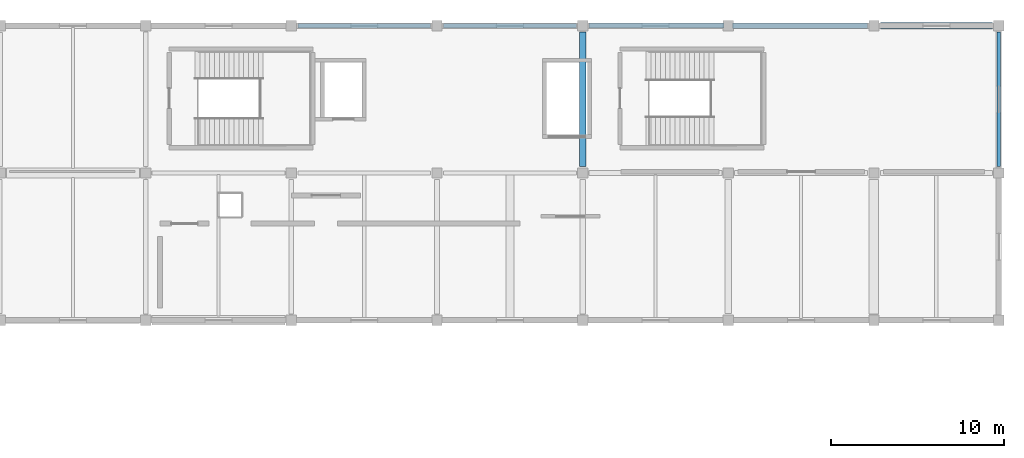
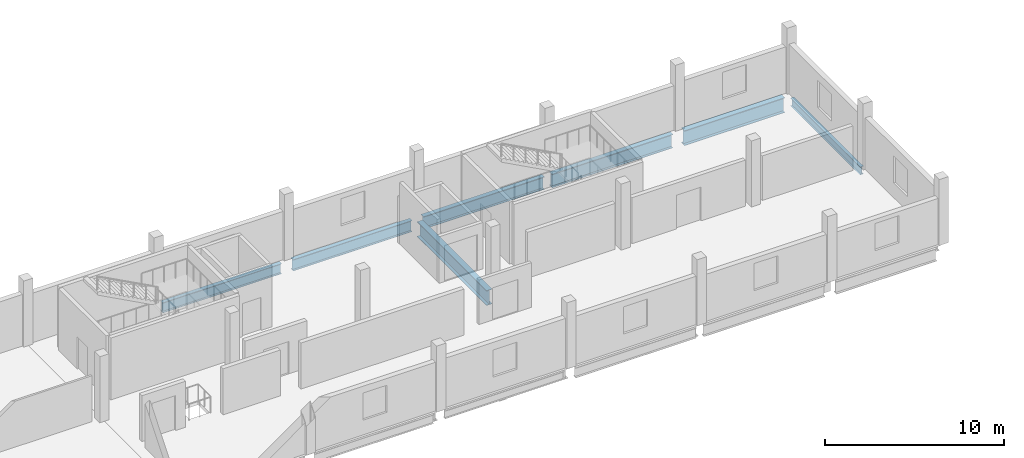
# One storey, part 31 of 50: 7 beams.
"""IFC4 building model written with IfcOpenShell, lengths in metres."""

from ifc_helpers import new_model, si_unit, direction, frame, origin, origin_2d, place, context, subcontext, project, spatial, i_section, extrude, material, material_profile, profile_set, type_object, element, save


model = new_model("IFC4")

# Units and contexts
model_context = context("Model", 3, precision=1e-05, world=origin(), true_north=direction((0.0, 1.0)))
body_context = subcontext(model_context, "Body", "Model", "MODEL_VIEW")
ifc_project = project(units=[si_unit("LENGTHUNIT", "METRE"), si_unit("AREAUNIT", "SQUARE_METRE"), si_unit("VOLUMEUNIT", "CUBIC_METRE"), si_unit("PLANEANGLEUNIT", "RADIAN"), si_unit("MASSUNIT", "GRAM", prefix="KILO")], contexts=[model_context])

# Site, building, storey
site_placement = place(None, origin())
site = spatial("IfcSite", under=ifc_project, at=site_placement, CompositionType="ELEMENT")
building_placement = place(site_placement, origin())
building = spatial("IfcBuilding", under=site, at=building_placement, Name="Solvento Point Concert Hall", CompositionType="ELEMENT")
storey_placement = place(building_placement, frame((0.0, 0.0, 15.0)))
storey = spatial("IfcBuildingStorey", under=building, at=storey_placement, Name="L03", CompositionType="ELEMENT", Elevation=15.0)

# Beams
ifc_material_1 = material(Name="Structural Steel ASTM A992 Grade 50", Category="steel")
ifc_material_profile_1 = material_profile(ifc_material_1, i_section(OverallWidth=0.214111328125, OverallDepth=0.549072265625, WebThickness=0.0146484375, FlangeThickness=0.023681640625, at=origin_2d()), Name="W21X93")
ifc_profile_set_1 = profile_set([ifc_material_profile_1], Name="Structural Steel ASTM A992 Grade 50")
beam_type_1 = type_object("IfcBeamType", Name="Beam_W21X93", PredefinedType="BEAM", material=ifc_profile_set_1)
beam_1_placement = place(storey_placement, frame((216.0, 127.868896484375, -0.53857421875), z_axis=(0.0, 1.0, 0.0), x_axis=(-1.0, 0.0, 0.0)))
element("IfcBeam", 1, at=beam_1_placement, inside=storey, type_object=beam_type_1, Name="Primary girder B-48 L03", PredefinedType="BEAM", context=body_context, shape_type="SweptSolid", body=[
    extrude(i_section(OverallWidth=0.214111328125, OverallDepth=0.549072265625, WebThickness=0.0146484375, FlangeThickness=0.023681640625, at=origin_2d()), origin(), (0.0, 0.0, 1.0), 7.76220703125),
])
ifc_material_2 = material(Name="Structural Steel ASTM A992 Grade 50", Category="steel")
ifc_material_profile_2 = material_profile(ifc_material_2, i_section(OverallWidth=0.256103515625, OverallDepth=0.693115234375, WebThickness=0.014404296875, FlangeThickness=0.023681640625, at=origin_2d()), Name="W27X114")
ifc_profile_set_2 = profile_set([ifc_material_profile_2], Name="Structural Steel ASTM A992 Grade 50")
beam_type_2 = type_object("IfcBeamType", Name="Girder_W27X114", PredefinedType="USERDEFINED", material=ifc_profile_set_2)
beam_2_placement = place(storey_placement, frame((175.569091796875, 136.0, -0.610595703125), z_axis=(1.0, 0.0, 0.0), x_axis=(0.0, 1.0, 0.0)))
element("IfcBeam", 2, at=beam_2_placement, inside=storey, type_object=beam_type_2, Name="Primary girder B-23 L03", ObjectType="GIRDER", PredefinedType="USERDEFINED", context=body_context, shape_type="SweptSolid", body=[
    extrude(i_section(OverallWidth=0.256103515625, OverallDepth=0.693115234375, WebThickness=0.014404296875, FlangeThickness=0.023681640625, at=origin_2d()), origin(), (0.0, 0.0, 1.0), 7.661865234375),
])
ifc_material_3 = material(Name="Structural Steel ASTM A992 Grade 50", Category="steel")
ifc_material_profile_3 = material_profile(ifc_material_3, i_section(OverallWidth=0.26806640625, OverallDepth=0.77001953125, WebThickness=0.015625, FlangeThickness=0.025390625, at=origin_2d()), Name="W30X132")
ifc_profile_set_3 = profile_set([ifc_material_profile_3], Name="Structural Steel ASTM A992 Grade 50")
beam_type_3 = type_object("IfcBeamType", Name="Girder_W30X132", PredefinedType="USERDEFINED", material=ifc_profile_set_3)
beam_3_placement = place(storey_placement, frame((183.968994140625, 136.0, -0.64892578125), z_axis=(1.0, 0.0, 0.0), x_axis=(0.0, 1.0, 0.0)))
element("IfcBeam", 3, at=beam_3_placement, inside=storey, type_object=beam_type_3, Name="Primary girder B-68 L03", ObjectType="GIRDER", PredefinedType="USERDEFINED", context=body_context, shape_type="SweptSolid", body=[
    extrude(i_section(OverallWidth=0.26806640625, OverallDepth=0.77001953125, WebThickness=0.015625, FlangeThickness=0.025390625, at=origin_2d()), origin(), (0.0, 0.0, 1.0), 7.662109375),
])
ifc_material_4 = material(Name="Structural Steel ASTM A992 Grade 50", Category="steel")
ifc_material_profile_4 = material_profile(ifc_material_4, i_section(OverallWidth=0.2919921875, OverallDepth=0.85888671875, WebThickness=0.01708984375, FlangeThickness=0.031005859375, at=origin_2d()), Name="W33X169")
ifc_profile_set_4 = profile_set([ifc_material_profile_4], Name="Structural Steel ASTM A992 Grade 50")
beam_type_4 = type_object("IfcBeamType", Name="Girder_W33X169", PredefinedType="USERDEFINED", material=ifc_profile_set_4)
beam_4_placement = place(storey_placement, frame((192.368896484375, 136.0, -0.693603515625), z_axis=(1.0, 0.0, 0.0), x_axis=(0.0, 1.0, 0.0)))
element("IfcBeam", 4, at=beam_4_placement, inside=storey, type_object=beam_type_4, Name="Primary girder B-33 L03", ObjectType="GIRDER", PredefinedType="USERDEFINED", context=body_context, shape_type="SweptSolid", body=[
    extrude(i_section(OverallWidth=0.2919921875, OverallDepth=0.85888671875, WebThickness=0.01708984375, FlangeThickness=0.031005859375, at=origin_2d()), origin(), (0.0, 0.0, 1.0), 7.787109375),
])
ifc_material_5 = material(Name="Structural Steel ASTM A992 Grade 50", Category="steel")
ifc_material_profile_5 = material_profile(ifc_material_5, i_section(OverallWidth=0.3076171875, OverallDepth=0.927001953125, WebThickness=0.019287109375, FlangeThickness=0.031982421875, at=origin_2d()), Name="W36X194")
ifc_profile_set_5 = profile_set([ifc_material_profile_5], Name="Structural Steel ASTM A992 Grade 50")
beam_type_5 = type_object("IfcBeamType", Name="Girder_W36X194", PredefinedType="USERDEFINED", material=ifc_profile_set_5)
beam_5_placement = place(storey_placement, frame((200.64404296875, 136.0, -0.7275390625), z_axis=(1.0, 0.0, 0.0), x_axis=(0.0, 1.0, 0.0)))
element("IfcBeam", 5, at=beam_5_placement, inside=storey, type_object=beam_type_5, Name="Primary girder B-61 L03", ObjectType="GIRDER", PredefinedType="USERDEFINED", context=body_context, shape_type="SweptSolid", body=[
    extrude(i_section(OverallWidth=0.3076171875, OverallDepth=0.927001953125, WebThickness=0.019287109375, FlangeThickness=0.031982421875, at=origin_2d()), origin(), (0.0, 0.0, 1.0), 7.786865234375),
])
ifc_material_6 = material(Name="Structural Steel ASTM A992 Grade 50", Category="steel")
ifc_material_profile_6 = material_profile(ifc_material_6, i_section(OverallWidth=0.361083984375, OverallDepth=1.02587890625, WebThickness=0.01904296875, FlangeThickness=0.0361328125, at=origin_2d()), Name="W40X249")
ifc_profile_set_6 = profile_set([ifc_material_profile_6], Name="Structural Steel ASTM A992 Grade 50")
beam_type_6 = type_object("IfcBeamType", Name="Girder_W40X249", PredefinedType="USERDEFINED", material=ifc_profile_set_6)
beam_6_placement = place(storey_placement, frame((209.1689453125, 136.0, -0.777099609375), z_axis=(1.0, 0.0, 0.0), x_axis=(0.0, 1.0, 0.0)))
element("IfcBeam", 6, at=beam_6_placement, inside=storey, type_object=beam_type_6, Name="Primary girder B-29 L03", ObjectType="GIRDER", PredefinedType="USERDEFINED", context=body_context, shape_type="SweptSolid", body=[
    extrude(i_section(OverallWidth=0.361083984375, OverallDepth=1.02587890625, WebThickness=0.01904296875, FlangeThickness=0.0361328125, at=origin_2d()), origin(), (0.0, 0.0, 1.0), 6.462158203125),
])
beam_7_placement = place(storey_placement, frame((192.0, 127.868896484375, -0.777099609375), z_axis=(0.0, 1.0, 0.0), x_axis=(-1.0, 0.0, 0.0)))
element("IfcBeam", 7, at=beam_7_placement, inside=storey, type_object=beam_type_6, Name="Primary girder B-29 L03", ObjectType="GIRDER", PredefinedType="USERDEFINED", context=body_context, shape_type="SweptSolid", body=[
    extrude(i_section(OverallWidth=0.361083984375, OverallDepth=1.02587890625, WebThickness=0.01904296875, FlangeThickness=0.0361328125, at=origin_2d()), origin(), (0.0, 0.0, 1.0), 7.76220703125),
])

save(model, "model.ifc")
